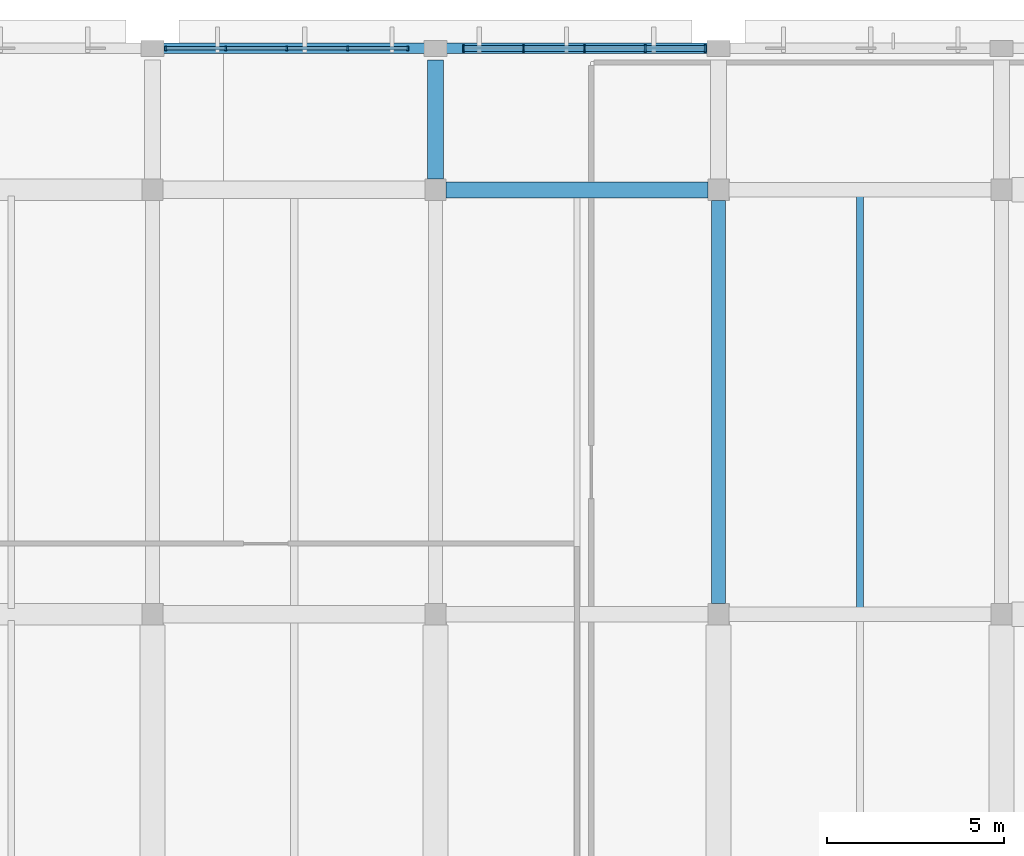
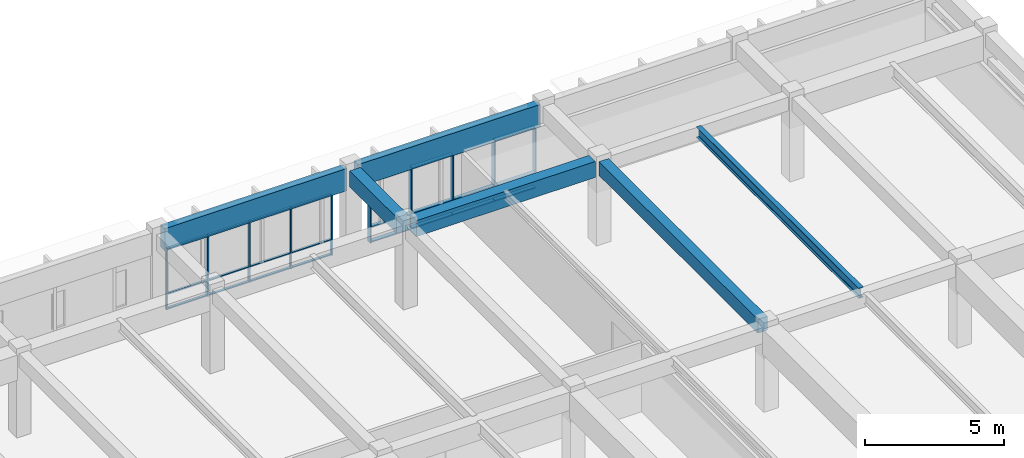
# One storey, part 22 of 98: 34 members, 6 beams, 2 elements without a shape of their own.
"""IFC4 building model written with IfcOpenShell, lengths in metres."""

from ifc_helpers import new_model, si_unit, direction, frame, origin, origin_2d, place, context, subcontext, project, spatial, rectangle, i_section, extrude, material, material_profile, profile_set, type_object, element, aggregate, save


model = new_model("IFC4")

# Units and contexts
model_context = context("Model", 3, precision=1e-05, world=origin(), true_north=direction((0.0, 1.0)))
body_context = subcontext(model_context, "Body", "Model", "MODEL_VIEW")
ifc_project = project(units=[si_unit("LENGTHUNIT", "METRE"), si_unit("AREAUNIT", "SQUARE_METRE"), si_unit("VOLUMEUNIT", "CUBIC_METRE"), si_unit("PLANEANGLEUNIT", "RADIAN"), si_unit("MASSUNIT", "GRAM", prefix="KILO")], contexts=[model_context])

# Site, building, storey
site_placement = place(None, origin())
site = spatial("IfcSite", under=ifc_project, at=site_placement, CompositionType="ELEMENT")
building_placement = place(site_placement, origin())
building = spatial("IfcBuilding", under=site, at=building_placement, Name="Larkveld Mobility Hub", CompositionType="ELEMENT")
storey_placement = place(building_placement, frame((0.0, 0.0, 4.5)))
storey = spatial("IfcBuildingStorey", under=building, at=storey_placement, Name="L01", CompositionType="ELEMENT", Elevation=4.5)

# Beams
ifc_material_1 = material(Name="Concrete C40/50", Category="concrete")
ifc_material_profile_1 = material_profile(ifc_material_1, rectangle(XDim=0.39990234375, YDim=0.60009765625, at=origin_2d()), Name="RC BM 400x600")
ifc_profile_set_1 = profile_set([ifc_material_profile_1], Name="Concrete C40/50")
beam_type_1 = type_object("IfcBeamType", Name="BM-RC4060", PredefinedType="BEAM", material=ifc_profile_set_1)
beam_1_placement = place(storey_placement, frame((80.0, 110.300048828125, 3.360107421875), z_axis=(0.0, 1.0, 0.0), x_axis=(-1.0, 0.0, 0.0)))
element("IfcBeam", 1, at=beam_1_placement, inside=storey, type_object=beam_type_1, Name="Primary N-S Girder L01-0381", PredefinedType="BEAM", context=body_context, shape_type="SweptSolid", body=[
    extrude(rectangle(XDim=0.39990234375, YDim=0.60009765625, at=origin_2d()), origin(), (0.0, 0.0, 1.0), 11.39990234375),
])
ifc_material_profile_2 = material_profile(ifc_material_1, rectangle(XDim=0.449951171875, YDim=0.699951171875, at=origin_2d()), Name="RC BM 450x700")
ifc_profile_set_2 = profile_set([ifc_material_profile_2], Name="Concrete C40/50")
beam_type_2 = type_object("IfcBeamType", Name="BM-RC4570", PredefinedType="BEAM", material=ifc_profile_set_2)
beam_2_placement = place(storey_placement, frame((72.300048828125, 122.0, 3.31005859375), z_axis=(1.0, 0.0, 0.0), x_axis=(0.0, 1.0, 0.0)))
element("IfcBeam", 2, at=beam_2_placement, inside=storey, type_object=beam_type_2, Name="Primary E-W Girder L01-0337", PredefinedType="BEAM", context=body_context, shape_type="SweptSolid", body=[
    extrude(rectangle(XDim=0.449951171875, YDim=0.699951171875, at=origin_2d()), origin(), (0.0, 0.0, 1.0), 7.39990234375),
])
beam_3_placement = place(storey_placement, frame((72.0, 122.300048828125, 3.31005859375), z_axis=(0.0, 1.0, 0.0), x_axis=(-1.0, 0.0, 0.0)))
element("IfcBeam", 3, at=beam_3_placement, inside=storey, type_object=beam_type_2, Name="Primary N-S Girder L01-0379", PredefinedType="BEAM", context=body_context, shape_type="SweptSolid", body=[
    extrude(rectangle(XDim=0.449951171875, YDim=0.699951171875, at=origin_2d()), origin(), (0.0, 0.0, 1.0), 3.375),
])
ifc_material_2 = material(Name="Precast concrete C50/60", Category="concrete")
ifc_material_profile_3 = material_profile(ifc_material_2, rectangle(XDim=0.300048828125, YDim=0.97998046875, at=origin_2d()), Name="PC SP 300x980")
ifc_profile_set_3 = profile_set([ifc_material_profile_3], Name="Precast concrete C50/60")
beam_type_3 = type_object("IfcBeamType", Name="BM-SP3098", PredefinedType="SPANDREL", material=ifc_profile_set_3)
for number, where, z_axis, x_axis, name in (
    (4, (64.22509765625, 126.0, 3.169921875), (1.0, 0.0, 0.0), (0.0, 1.0, 0.0), "Primary E-W Girder L01-0346"),
    (5, (72.22509765625, 126.0, 3.169921875), (1.0, 0.0, 0.0), (0.0, 1.0, 0.0), "Primary E-W Girder L01-0347"),
):
    element("IfcBeam", number, at=place(storey_placement, frame(where, z_axis=z_axis, x_axis=x_axis)), inside=storey, type_object=beam_type_3, Name=name, PredefinedType="SPANDREL", context=body_context, shape_type="SweptSolid", body=[
        extrude(rectangle(XDim=0.300048828125, YDim=0.97998046875, at=origin_2d()), origin(), (0.0, 0.0, 1.0), 7.5498046875),
    ])
ifc_material_3 = material(Name="Steel S355JR", Category="steel")
ifc_material_profile_4 = material_profile(ifc_material_3, i_section(OverallWidth=0.18994140625, OverallDepth=0.449951171875, WebThickness=0.009521484375, FlangeThickness=0.0146484375, FilletRadius=0.02099609375, at=origin_2d()), Name="IPE 450")
ifc_profile_set_4 = profile_set([ifc_material_profile_4], Name="Steel S355JR")
beam_type_4 = type_object("IfcBeamType", Name="BM-STIPE450", PredefinedType="BEAM", material=ifc_profile_set_4)
beam_4_placement = place(storey_placement, frame((84.0, 110.169921875, 3.445068359375), z_axis=(0.0, 1.0, 0.0), x_axis=(-1.0, 0.0, 0.0)))
element("IfcBeam", 6, at=beam_4_placement, inside=storey, type_object=beam_type_4, Name="Bicycle Hall Secondary Beam L01-1197", PredefinedType="BEAM", context=body_context, shape_type="SweptSolid", body=[
    extrude(i_section(OverallWidth=0.18994140625, OverallDepth=0.449951171875, WebThickness=0.009521484375, FlangeThickness=0.0146484375, FilletRadius=0.02099609375, at=origin_2d()), origin(), (0.0, 0.0, 1.0), 11.66015625),
])

# Curtain wall, members
ifc_material_4 = material(Name="Anodised aluminium 6063-T6", Category="aluminium")
curtain_wall_type_1 = type_object("IfcCurtainWallType", Name="CW-SYS-07", PredefinedType="NOTDEFINED", material=ifc_material_4)
curtain_wall_1_placement = place(storey_placement, origin())
curtain_wall_1 = element("IfcCurtainWall", 7, at=curtain_wall_1_placement, inside=storey, type_object=curtain_wall_type_1, Name="Bicycle Hall North Curtain Wall L01 CW-079", PredefinedType="NOTDEFINED")
ifc_material_profile_5 = material_profile(ifc_material_4, rectangle(XDim=0.050048828125, YDim=0.2099609375, at=origin_2d()), Name="ALU MULL 50x210")
ifc_profile_set_5 = profile_set([ifc_material_profile_5], Name="Anodised aluminium 6063-T6")
member_type_1 = type_object("IfcMemberType", Name="CW-MUL-03", PredefinedType="MULLION", material=ifc_profile_set_5)
member_1_placement = place(storey_placement, frame((79.625, 126.0, -0.001953125), z_axis=(0.0, 0.0, 1.0), x_axis=(-1.0, 0.0, 0.0)))
member_1 = element("IfcMember", 8, at=member_1_placement, type_object=member_type_1, Name="CW07 mullion 1", PredefinedType="MULLION", context=body_context, shape_type="SweptSolid", body=[
    extrude(rectangle(XDim=0.050048828125, YDim=0.2099609375, at=origin_2d()), origin(), (0.0, 0.0, 1.0), 2.681884765625),
])
member_2_placement = place(storey_placement, frame((77.928955078125, 126.0, -0.001953125), z_axis=(0.0, 0.0, 1.0), x_axis=(-1.0, 0.0, 0.0)))
member_2 = element("IfcMember", 9, at=member_2_placement, type_object=member_type_1, Name="CW07 mullion 2", PredefinedType="MULLION", context=body_context, shape_type="SweptSolid", body=[
    extrude(rectangle(XDim=0.050048828125, YDim=0.2099609375, at=origin_2d()), origin(), (0.0, 0.0, 1.0), 2.681884765625),
])
member_3_placement = place(storey_placement, frame((76.2080078125, 126.0, -0.001953125), z_axis=(0.0, 0.0, 1.0), x_axis=(-1.0, 0.0, 0.0)))
member_3 = element("IfcMember", 10, at=member_3_placement, type_object=member_type_1, Name="CW07 mullion 3", PredefinedType="MULLION", context=body_context, shape_type="SweptSolid", body=[
    extrude(rectangle(XDim=0.050048828125, YDim=0.2099609375, at=origin_2d()), origin(), (0.0, 0.0, 1.0), 2.681884765625),
])
member_4_placement = place(storey_placement, frame((74.486083984375, 126.0, -0.001953125), z_axis=(0.0, 0.0, 1.0), x_axis=(-1.0, 0.0, 0.0)))
member_4 = element("IfcMember", 11, at=member_4_placement, type_object=member_type_1, Name="CW07 mullion 4", PredefinedType="MULLION", context=body_context, shape_type="SweptSolid", body=[
    extrude(rectangle(XDim=0.050048828125, YDim=0.2099609375, at=origin_2d()), origin(), (0.0, 0.0, 1.0), 2.681884765625),
])
member_5_placement = place(storey_placement, frame((72.7900390625, 126.0, -0.001953125), z_axis=(0.0, 0.0, 1.0), x_axis=(-1.0, 0.0, 0.0)))
member_5 = element("IfcMember", 12, at=member_5_placement, type_object=member_type_1, Name="CW07 mullion 5", PredefinedType="MULLION", context=body_context, shape_type="SweptSolid", body=[
    extrude(rectangle(XDim=0.050048828125, YDim=0.2099609375, at=origin_2d()), origin(), (0.0, 0.0, 1.0), 2.681884765625),
])

curtain_wall_type_2 = type_object("IfcCurtainWallType", Name="CW-SYS-08", PredefinedType="NOTDEFINED", material=ifc_material_4)
curtain_wall_2_placement = place(storey_placement, origin())
curtain_wall_2 = element("IfcCurtainWall", 13, at=curtain_wall_2_placement, inside=storey, type_object=curtain_wall_type_2, Name="Bicycle Hall North Curtain Wall L01 CW-080", PredefinedType="NOTDEFINED")
ifc_material_profile_6 = material_profile(ifc_material_4, rectangle(XDim=0.050048828125, YDim=0.1298828125, at=origin_2d()), Name="ALU MULL 50x130")
ifc_profile_set_6 = profile_set([ifc_material_profile_6], Name="Anodised aluminium 6063-T6")
member_type_2 = type_object("IfcMemberType", Name="CW-MUL-04", PredefinedType="MULLION", material=ifc_profile_set_6)
member_6_placement = place(storey_placement, frame((71.2099609375, 126.0, -0.001953125), z_axis=(0.0, 0.0, 1.0), x_axis=(-1.0, 0.0, 0.0)))
member_6 = element("IfcMember", 14, at=member_6_placement, type_object=member_type_2, Name="CW08 mullion 1", PredefinedType="MULLION", context=body_context, shape_type="SweptSolid", body=[
    extrude(rectangle(XDim=0.050048828125, YDim=0.1298828125, at=origin_2d()), origin(), (0.0, 0.0, 1.0), 2.681884765625),
])
member_7_placement = place(storey_placement, frame((69.513916015625, 126.0, -0.001953125), z_axis=(0.0, 0.0, 1.0), x_axis=(-1.0, 0.0, 0.0)))
member_7 = element("IfcMember", 15, at=member_7_placement, type_object=member_type_2, Name="CW08 mullion 2", PredefinedType="MULLION", context=body_context, shape_type="SweptSolid", body=[
    extrude(rectangle(XDim=0.050048828125, YDim=0.1298828125, at=origin_2d()), origin(), (0.0, 0.0, 1.0), 2.681884765625),
])
member_8_placement = place(storey_placement, frame((67.79296875, 126.0, -0.001953125), z_axis=(0.0, 0.0, 1.0), x_axis=(-1.0, 0.0, 0.0)))
member_8 = element("IfcMember", 16, at=member_8_placement, type_object=member_type_2, Name="CW08 mullion 3", PredefinedType="MULLION", context=body_context, shape_type="SweptSolid", body=[
    extrude(rectangle(XDim=0.050048828125, YDim=0.1298828125, at=origin_2d()), origin(), (0.0, 0.0, 1.0), 2.681884765625),
])
member_9_placement = place(storey_placement, frame((66.071044921875, 126.0, -0.001953125), z_axis=(0.0, 0.0, 1.0), x_axis=(-1.0, 0.0, 0.0)))
member_9 = element("IfcMember", 17, at=member_9_placement, type_object=member_type_2, Name="CW08 mullion 4", PredefinedType="MULLION", context=body_context, shape_type="SweptSolid", body=[
    extrude(rectangle(XDim=0.050048828125, YDim=0.1298828125, at=origin_2d()), origin(), (0.0, 0.0, 1.0), 2.681884765625),
])
member_10_placement = place(storey_placement, frame((64.375, 126.0, -0.001953125), z_axis=(0.0, 0.0, 1.0), x_axis=(-1.0, 0.0, 0.0)))
member_10 = element("IfcMember", 18, at=member_10_placement, type_object=member_type_2, Name="CW08 mullion 5", PredefinedType="MULLION", context=body_context, shape_type="SweptSolid", body=[
    extrude(rectangle(XDim=0.050048828125, YDim=0.1298828125, at=origin_2d()), origin(), (0.0, 0.0, 1.0), 2.681884765625),
])

# Member
ifc_material_profile_7 = material_profile(ifc_material_4, rectangle(XDim=0.169921875, YDim=0.050048828125, at=origin_2d()), Name="ALU TRAN 50x170")
ifc_profile_set_7 = profile_set([ifc_material_profile_7], Name="Anodised aluminium 6063-T6")
member_type_3 = type_object("IfcMemberType", Name="CW-TRN-03", PredefinedType="USERDEFINED", material=ifc_profile_set_7)
member_11_placement = place(storey_placement, frame((79.614990234375, 126.0, 0.030029296875), z_axis=(-1.0, 0.0, 0.0), x_axis=(0.0, -1.0, 0.0)))
member_11 = element("IfcMember", 19, at=member_11_placement, type_object=member_type_3, Name="CW07 transom 1.1", ObjectType="TRANSOM", PredefinedType="USERDEFINED", context=body_context, shape_type="SweptSolid", body=[
    extrude(rectangle(XDim=0.169921875, YDim=0.050048828125, at=origin_2d()), origin(), (0.0, 0.0, 1.0), 1.6708984375),
])

member_12_placement = place(storey_placement, frame((79.614990234375, 126.0, 0.669921875), z_axis=(-1.0, 0.0, 0.0), x_axis=(0.0, -1.0, 0.0)))
member_12 = element("IfcMember", 20, at=member_12_placement, type_object=member_type_3, Name="CW07 transom 1.2", ObjectType="TRANSOM", PredefinedType="USERDEFINED", context=body_context, shape_type="SweptSolid", body=[
    extrude(rectangle(XDim=0.169921875, YDim=0.050048828125, at=origin_2d()), origin(), (0.0, 0.0, 1.0), 1.6708984375),
])

member_13_placement = place(storey_placement, frame((79.614990234375, 126.0, 2.64794921875), z_axis=(-1.0, 0.0, 0.0), x_axis=(0.0, -1.0, 0.0)))
member_13 = element("IfcMember", 21, at=member_13_placement, type_object=member_type_3, Name="CW07 transom 1.3", ObjectType="TRANSOM", PredefinedType="USERDEFINED", context=body_context, shape_type="SweptSolid", body=[
    extrude(rectangle(XDim=0.169921875, YDim=0.050048828125, at=origin_2d()), origin(), (0.0, 0.0, 1.0), 1.6708984375),
])

member_14_placement = place(storey_placement, frame((77.9140625, 126.0, 0.030029296875), z_axis=(-1.0, 0.0, 0.0), x_axis=(0.0, -1.0, 0.0)))
member_14 = element("IfcMember", 22, at=member_14_placement, type_object=member_type_3, Name="CW07 transom 2.1", ObjectType="TRANSOM", PredefinedType="USERDEFINED", context=body_context, shape_type="SweptSolid", body=[
    extrude(rectangle(XDim=0.169921875, YDim=0.050048828125, at=origin_2d()), origin(), (0.0, 0.0, 1.0), 1.691162109375),
])

member_15_placement = place(storey_placement, frame((77.9140625, 126.0, 0.669921875), z_axis=(-1.0, 0.0, 0.0), x_axis=(0.0, -1.0, 0.0)))
member_15 = element("IfcMember", 23, at=member_15_placement, type_object=member_type_3, Name="CW07 transom 2.2", ObjectType="TRANSOM", PredefinedType="USERDEFINED", context=body_context, shape_type="SweptSolid", body=[
    extrude(rectangle(XDim=0.169921875, YDim=0.050048828125, at=origin_2d()), origin(), (0.0, 0.0, 1.0), 1.691162109375),
])

member_16_placement = place(storey_placement, frame((77.9140625, 126.0, 2.64794921875), z_axis=(-1.0, 0.0, 0.0), x_axis=(0.0, -1.0, 0.0)))
member_16 = element("IfcMember", 24, at=member_16_placement, type_object=member_type_3, Name="CW07 transom 2.3", ObjectType="TRANSOM", PredefinedType="USERDEFINED", context=body_context, shape_type="SweptSolid", body=[
    extrude(rectangle(XDim=0.169921875, YDim=0.050048828125, at=origin_2d()), origin(), (0.0, 0.0, 1.0), 1.691162109375),
])

member_17_placement = place(storey_placement, frame((76.193115234375, 126.0, 0.030029296875), z_axis=(-1.0, 0.0, 0.0), x_axis=(0.0, -1.0, 0.0)))
member_17 = element("IfcMember", 25, at=member_17_placement, type_object=member_type_3, Name="CW07 transom 3.1", ObjectType="TRANSOM", PredefinedType="USERDEFINED", context=body_context, shape_type="SweptSolid", body=[
    extrude(rectangle(XDim=0.169921875, YDim=0.050048828125, at=origin_2d()), origin(), (0.0, 0.0, 1.0), 1.692138671875),
])

member_18_placement = place(storey_placement, frame((76.193115234375, 126.0, 0.669921875), z_axis=(-1.0, 0.0, 0.0), x_axis=(0.0, -1.0, 0.0)))
member_18 = element("IfcMember", 26, at=member_18_placement, type_object=member_type_3, Name="CW07 transom 3.2", ObjectType="TRANSOM", PredefinedType="USERDEFINED", context=body_context, shape_type="SweptSolid", body=[
    extrude(rectangle(XDim=0.169921875, YDim=0.050048828125, at=origin_2d()), origin(), (0.0, 0.0, 1.0), 1.692138671875),
])

member_19_placement = place(storey_placement, frame((76.193115234375, 126.0, 2.64794921875), z_axis=(-1.0, 0.0, 0.0), x_axis=(0.0, -1.0, 0.0)))
member_19 = element("IfcMember", 27, at=member_19_placement, type_object=member_type_3, Name="CW07 transom 3.3", ObjectType="TRANSOM", PredefinedType="USERDEFINED", context=body_context, shape_type="SweptSolid", body=[
    extrude(rectangle(XDim=0.169921875, YDim=0.050048828125, at=origin_2d()), origin(), (0.0, 0.0, 1.0), 1.692138671875),
])

member_20_placement = place(storey_placement, frame((74.470947265625, 126.0, 0.030029296875), z_axis=(-1.0, 0.0, 0.0), x_axis=(0.0, -1.0, 0.0)))
member_20 = element("IfcMember", 28, at=member_20_placement, type_object=member_type_3, Name="CW07 transom 4.1", ObjectType="TRANSOM", PredefinedType="USERDEFINED", context=body_context, shape_type="SweptSolid", body=[
    extrude(rectangle(XDim=0.169921875, YDim=0.050048828125, at=origin_2d()), origin(), (0.0, 0.0, 1.0), 1.6708984375),
])

member_21_placement = place(storey_placement, frame((74.470947265625, 126.0, 0.669921875), z_axis=(-1.0, 0.0, 0.0), x_axis=(0.0, -1.0, 0.0)))
member_21 = element("IfcMember", 29, at=member_21_placement, type_object=member_type_3, Name="CW07 transom 4.2", ObjectType="TRANSOM", PredefinedType="USERDEFINED", context=body_context, shape_type="SweptSolid", body=[
    extrude(rectangle(XDim=0.169921875, YDim=0.050048828125, at=origin_2d()), origin(), (0.0, 0.0, 1.0), 1.6708984375),
])

member_22_placement = place(storey_placement, frame((74.470947265625, 126.0, 2.64794921875), z_axis=(-1.0, 0.0, 0.0), x_axis=(0.0, -1.0, 0.0)))
member_22 = element("IfcMember", 30, at=member_22_placement, type_object=member_type_3, Name="CW07 transom 4.3", ObjectType="TRANSOM", PredefinedType="USERDEFINED", context=body_context, shape_type="SweptSolid", body=[
    extrude(rectangle(XDim=0.169921875, YDim=0.050048828125, at=origin_2d()), origin(), (0.0, 0.0, 1.0), 1.6708984375),
])

aggregate(curtain_wall_1, [member_1, member_2, member_3, member_4, member_5, member_11, member_12, member_13, member_14, member_15, member_16, member_17, member_18, member_19, member_20, member_21, member_22])

ifc_material_profile_8 = material_profile(ifc_material_4, rectangle(XDim=0.10009765625, YDim=0.050048828125, at=origin_2d()), Name="ALU TRAN 50x100")
ifc_profile_set_8 = profile_set([ifc_material_profile_8], Name="Anodised aluminium 6063-T6")
member_type_4 = type_object("IfcMemberType", Name="CW-TRN-04", PredefinedType="USERDEFINED", material=ifc_profile_set_8)
member_23_placement = place(storey_placement, frame((71.199951171875, 126.0, 0.030029296875), z_axis=(-1.0, 0.0, 0.0), x_axis=(0.0, -1.0, 0.0)))
member_23 = element("IfcMember", 31, at=member_23_placement, type_object=member_type_4, Name="CW08 transom 1.1", ObjectType="TRANSOM", PredefinedType="USERDEFINED", context=body_context, shape_type="SweptSolid", body=[
    extrude(rectangle(XDim=0.10009765625, YDim=0.050048828125, at=origin_2d()), origin(), (0.0, 0.0, 1.0), 1.6708984375),
])

member_24_placement = place(storey_placement, frame((71.199951171875, 126.0, 0.669921875), z_axis=(-1.0, 0.0, 0.0), x_axis=(0.0, -1.0, 0.0)))
member_24 = element("IfcMember", 32, at=member_24_placement, type_object=member_type_4, Name="CW08 transom 1.2", ObjectType="TRANSOM", PredefinedType="USERDEFINED", context=body_context, shape_type="SweptSolid", body=[
    extrude(rectangle(XDim=0.10009765625, YDim=0.050048828125, at=origin_2d()), origin(), (0.0, 0.0, 1.0), 1.6708984375),
])

member_25_placement = place(storey_placement, frame((71.199951171875, 126.0, 2.64794921875), z_axis=(-1.0, 0.0, 0.0), x_axis=(0.0, -1.0, 0.0)))
member_25 = element("IfcMember", 33, at=member_25_placement, type_object=member_type_4, Name="CW08 transom 1.3", ObjectType="TRANSOM", PredefinedType="USERDEFINED", context=body_context, shape_type="SweptSolid", body=[
    extrude(rectangle(XDim=0.10009765625, YDim=0.050048828125, at=origin_2d()), origin(), (0.0, 0.0, 1.0), 1.6708984375),
])

member_26_placement = place(storey_placement, frame((69.4990234375, 126.0, 0.030029296875), z_axis=(-1.0, 0.0, 0.0), x_axis=(0.0, -1.0, 0.0)))
member_26 = element("IfcMember", 34, at=member_26_placement, type_object=member_type_4, Name="CW08 transom 2.1", ObjectType="TRANSOM", PredefinedType="USERDEFINED", context=body_context, shape_type="SweptSolid", body=[
    extrude(rectangle(XDim=0.10009765625, YDim=0.050048828125, at=origin_2d()), origin(), (0.0, 0.0, 1.0), 1.69091796875),
])

member_27_placement = place(storey_placement, frame((69.4990234375, 126.0, 0.669921875), z_axis=(-1.0, 0.0, 0.0), x_axis=(0.0, -1.0, 0.0)))
member_27 = element("IfcMember", 35, at=member_27_placement, type_object=member_type_4, Name="CW08 transom 2.2", ObjectType="TRANSOM", PredefinedType="USERDEFINED", context=body_context, shape_type="SweptSolid", body=[
    extrude(rectangle(XDim=0.10009765625, YDim=0.050048828125, at=origin_2d()), origin(), (0.0, 0.0, 1.0), 1.69091796875),
])

member_28_placement = place(storey_placement, frame((69.4990234375, 126.0, 2.64794921875), z_axis=(-1.0, 0.0, 0.0), x_axis=(0.0, -1.0, 0.0)))
member_28 = element("IfcMember", 36, at=member_28_placement, type_object=member_type_4, Name="CW08 transom 2.3", ObjectType="TRANSOM", PredefinedType="USERDEFINED", context=body_context, shape_type="SweptSolid", body=[
    extrude(rectangle(XDim=0.10009765625, YDim=0.050048828125, at=origin_2d()), origin(), (0.0, 0.0, 1.0), 1.69091796875),
])

member_29_placement = place(storey_placement, frame((67.778076171875, 126.0, 0.030029296875), z_axis=(-1.0, 0.0, 0.0), x_axis=(0.0, -1.0, 0.0)))
member_29 = element("IfcMember", 37, at=member_29_placement, type_object=member_type_4, Name="CW08 transom 3.1", ObjectType="TRANSOM", PredefinedType="USERDEFINED", context=body_context, shape_type="SweptSolid", body=[
    extrude(rectangle(XDim=0.10009765625, YDim=0.050048828125, at=origin_2d()), origin(), (0.0, 0.0, 1.0), 1.692138671875),
])

member_30_placement = place(storey_placement, frame((67.778076171875, 126.0, 0.669921875), z_axis=(-1.0, 0.0, 0.0), x_axis=(0.0, -1.0, 0.0)))
member_30 = element("IfcMember", 38, at=member_30_placement, type_object=member_type_4, Name="CW08 transom 3.2", ObjectType="TRANSOM", PredefinedType="USERDEFINED", context=body_context, shape_type="SweptSolid", body=[
    extrude(rectangle(XDim=0.10009765625, YDim=0.050048828125, at=origin_2d()), origin(), (0.0, 0.0, 1.0), 1.692138671875),
])

member_31_placement = place(storey_placement, frame((67.778076171875, 126.0, 2.64794921875), z_axis=(-1.0, 0.0, 0.0), x_axis=(0.0, -1.0, 0.0)))
member_31 = element("IfcMember", 39, at=member_31_placement, type_object=member_type_4, Name="CW08 transom 3.3", ObjectType="TRANSOM", PredefinedType="USERDEFINED", context=body_context, shape_type="SweptSolid", body=[
    extrude(rectangle(XDim=0.10009765625, YDim=0.050048828125, at=origin_2d()), origin(), (0.0, 0.0, 1.0), 1.692138671875),
])

member_32_placement = place(storey_placement, frame((66.055908203125, 126.0, 0.030029296875), z_axis=(-1.0, 0.0, 0.0), x_axis=(0.0, -1.0, 0.0)))
member_32 = element("IfcMember", 40, at=member_32_placement, type_object=member_type_4, Name="CW08 transom 4.1", ObjectType="TRANSOM", PredefinedType="USERDEFINED", context=body_context, shape_type="SweptSolid", body=[
    extrude(rectangle(XDim=0.10009765625, YDim=0.050048828125, at=origin_2d()), origin(), (0.0, 0.0, 1.0), 1.6708984375),
])

member_33_placement = place(storey_placement, frame((66.055908203125, 126.0, 0.669921875), z_axis=(-1.0, 0.0, 0.0), x_axis=(0.0, -1.0, 0.0)))
member_33 = element("IfcMember", 41, at=member_33_placement, type_object=member_type_4, Name="CW08 transom 4.2", ObjectType="TRANSOM", PredefinedType="USERDEFINED", context=body_context, shape_type="SweptSolid", body=[
    extrude(rectangle(XDim=0.10009765625, YDim=0.050048828125, at=origin_2d()), origin(), (0.0, 0.0, 1.0), 1.6708984375),
])

member_34_placement = place(storey_placement, frame((66.055908203125, 126.0, 2.64794921875), z_axis=(-1.0, 0.0, 0.0), x_axis=(0.0, -1.0, 0.0)))
member_34 = element("IfcMember", 42, at=member_34_placement, type_object=member_type_4, Name="CW08 transom 4.3", ObjectType="TRANSOM", PredefinedType="USERDEFINED", context=body_context, shape_type="SweptSolid", body=[
    extrude(rectangle(XDim=0.10009765625, YDim=0.050048828125, at=origin_2d()), origin(), (0.0, 0.0, 1.0), 1.6708984375),
])

aggregate(curtain_wall_2, [member_6, member_7, member_8, member_9, member_10, member_23, member_24, member_25, member_26, member_27, member_28, member_29, member_30, member_31, member_32, member_33, member_34])

save(model, "model.ifc")
